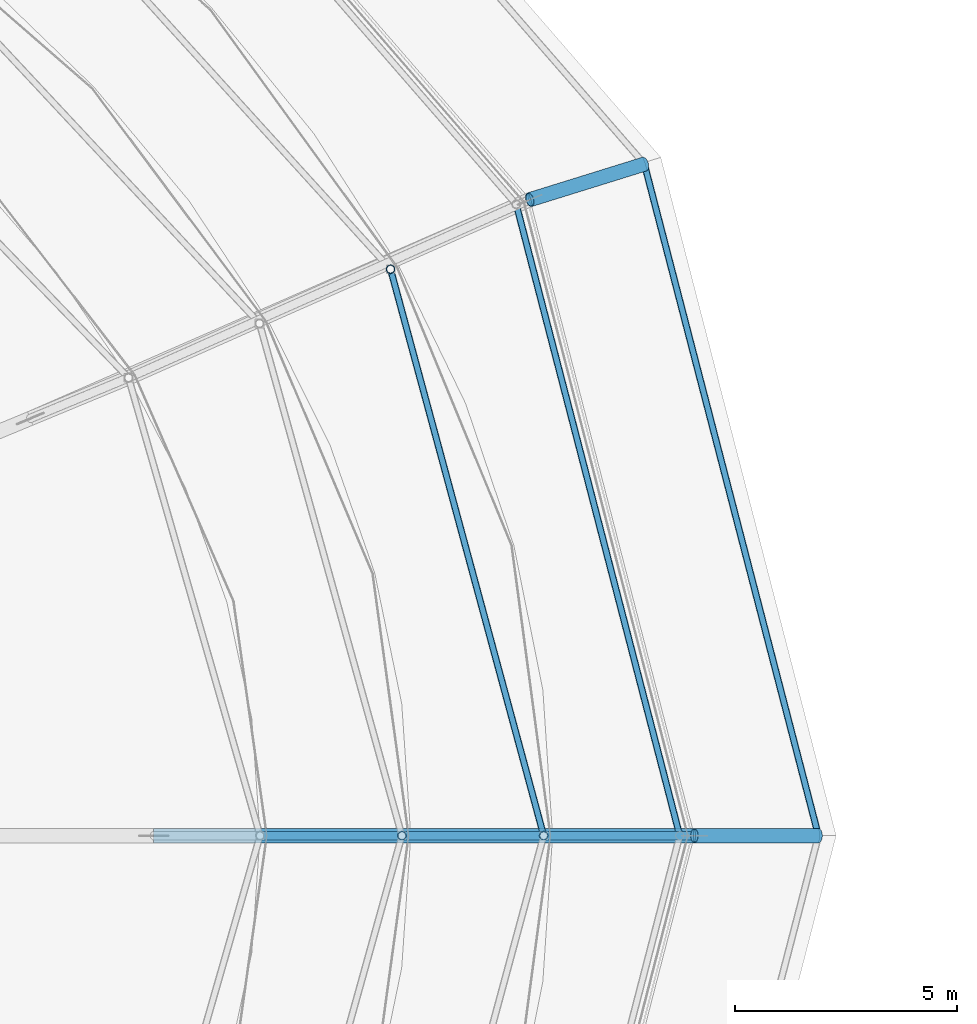
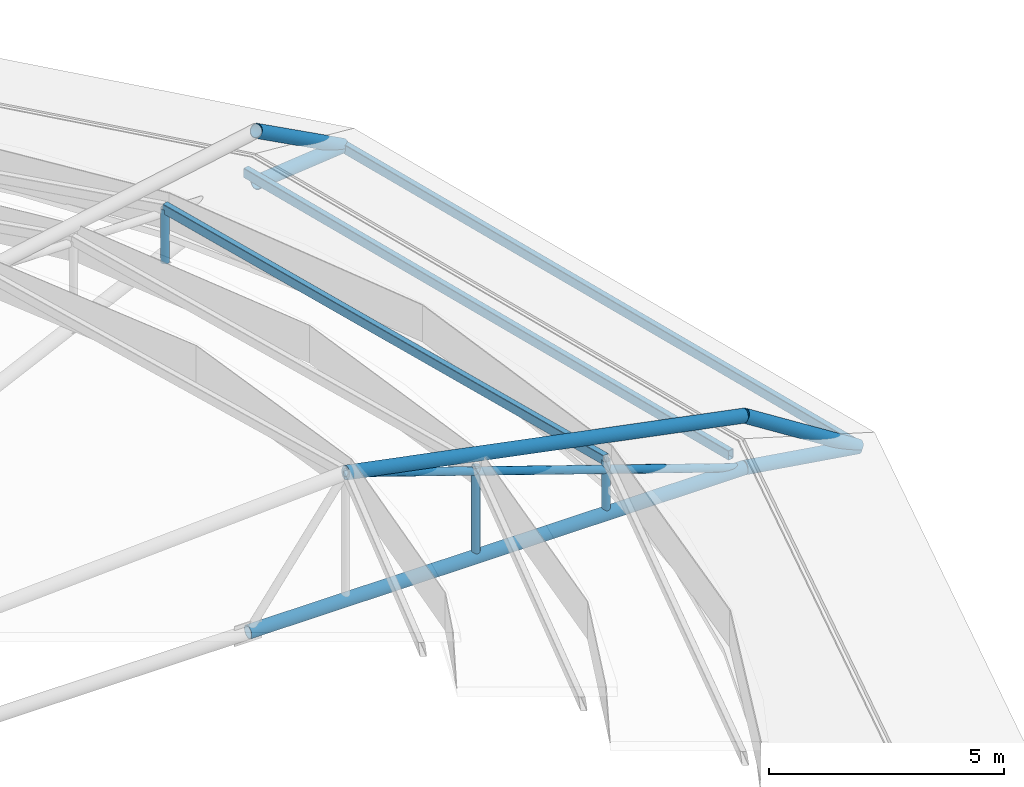
# One storey, part 39 of 134: 10 members, 3 beams.
"""IFC4 building model written with IfcOpenShell, lengths in metres."""

from ifc_helpers import new_model, si_unit, derived_unit, direction, frame, origin, origin_2d, place, context, subcontext, project, spatial, hollow_rectangle, hollow_circle, extrude, material, material_profile, profile_set, type_object, element, save


model = new_model("IFC4")

# Units and contexts
model_context = context("Model", 3, precision=1e-05, world=origin(), true_north=direction((0.0, 1.0)))
body_context = subcontext(model_context, "Body", "Model", "MODEL_VIEW")
ifc_project = project(units=[si_unit("LENGTHUNIT", "METRE"), si_unit("AREAUNIT", "SQUARE_METRE"), si_unit("VOLUMEUNIT", "CUBIC_METRE"), si_unit("PLANEANGLEUNIT", "RADIAN"), si_unit("MASSUNIT", "GRAM", prefix="KILO"), derived_unit("THERMALTRANSMITTANCEUNIT", [(si_unit("MASSUNIT", "GRAM", prefix="KILO"), 1), (si_unit("TIMEUNIT", "SECOND"), -3), (si_unit("THERMODYNAMICTEMPERATUREUNIT", "KELVIN"), -1)])], contexts=[model_context])

# Site, building, storey
site_placement = place(None, origin())
site = spatial("IfcSite", under=ifc_project, at=site_placement, CompositionType="ELEMENT")
building_placement = place(site_placement, origin())
building = spatial("IfcBuilding", under=site, at=building_placement, Name="Kharveza Railside Sports Centre", CompositionType="ELEMENT")
storey_placement = place(building_placement, frame((0.0, 0.0, 12.89990234375)))
storey = spatial("IfcBuildingStorey", under=building, at=storey_placement, Name="L03", CompositionType="ELEMENT", Elevation=12.89990234375)

# Beams
ifc_material = material(Name="Steel S355J2", Category="steel")
ifc_material_profile_1 = material_profile(ifc_material, hollow_rectangle(XDim=0.14990234375, YDim=0.25, WallThickness=0.010009765625, InnerFilletRadius=0.010009765625, OuterFilletRadius=0.02001953125, at=origin_2d()), Name="RHS 150x250x10.0")
ifc_profile_set_1 = profile_set([ifc_material_profile_1], Name="Steel S355J2")
beam_type = type_object("IfcBeamType", Name="BM-SP04", PredefinedType="SPANDREL", material=ifc_profile_set_1)
beam_1_placement = place(storey_placement, frame((103.070068359375, 50.39990234375, 0.405029296875), z_axis=(-0.250720342017, 0.968059559169, 0.0), x_axis=(-0.968059559169, -0.250720342017, 0.0)))
element("IfcBeam", 1, at=beam_1_placement, inside=storey, type_object=beam_type, Name="BM-LIDRING-S1-01", PredefinedType="SPANDREL", context=body_context, shape_type="SweptSolid", body=[
    extrude(hollow_rectangle(XDim=0.14990234375, YDim=0.25, WallThickness=0.010009765625, InnerFilletRadius=0.010009765625, OuterFilletRadius=0.02001953125, at=origin_2d()), origin(), (0.0, 0.0, 1.0), 14.71630859375),
])
beam_2_placement = place(storey_placement, frame((100.0, 50.39990234375, 1.35498046875), z_axis=(-0.260999585678, 0.96533891265, 0.0), x_axis=(-0.96533891265, -0.260999585678, 0.0)))
element("IfcBeam", 2, at=beam_2_placement, inside=storey, type_object=beam_type, Name="BM-LIDRING-S2-01", PredefinedType="SPANDREL", context=body_context, shape_type="SweptSolid", body=[
    extrude(hollow_rectangle(XDim=0.14990234375, YDim=0.25, WallThickness=0.010009765625, InnerFilletRadius=0.010009765625, OuterFilletRadius=0.02001953125, at=origin_2d()), origin(), (0.0, 0.0, 1.0), 13.24072265625),
])
beam_3_placement = place(storey_placement, frame((106.199951171875, 50.39990234375, -0.47998046875), z_axis=(-0.250892882521, 0.968014856033, 0.0), x_axis=(-0.968014856033, -0.250892882521, 0.0)))
element("IfcBeam", 3, at=beam_3_placement, inside=storey, type_object=beam_type, Name="BM-LIDRING-RIM-01", PredefinedType="SPANDREL", context=body_context, shape_type="SweptSolid", body=[
    extrude(hollow_rectangle(XDim=0.14990234375, YDim=0.25, WallThickness=0.010009765625, InnerFilletRadius=0.010009765625, OuterFilletRadius=0.02001953125, at=origin_2d()), origin(), (0.0, 0.0, 1.0), 15.655029296875),
])

# Members
ifc_material_profile_2 = material_profile(ifc_material, hollow_circle(Radius=0.161865234375, WallThickness=0.01611328125, at=origin_2d()), Name="CHS 323.9x16.0")
ifc_profile_set_2 = profile_set([ifc_material_profile_2], Name="Steel S355J2")
member_type_1 = type_object("IfcMemberType", Name="MB-CH02", PredefinedType="CHORD", material=ifc_profile_set_2)
member_1_placement = place(storey_placement, frame((91.199951171875, 50.39990234375, -0.0498046875), z_axis=(1.0, 0.0, 0.0), x_axis=(0.0, 1.0, 0.0)))
element("IfcMember", 4, at=member_1_placement, inside=storey, type_object=member_type_1, Name="MB-OUT-BC2-01", PredefinedType="CHORD", context=body_context, shape_type="SweptSolid", body=[
    extrude(hollow_circle(Radius=0.161865234375, WallThickness=0.01611328125, at=origin_2d()), origin(), (0.0, 0.0, 1.0), 12.199951171875),
])
member_2_placement = place(storey_placement, frame((103.39990234375, 50.39990234375, -0.0498046875), z_axis=(0.98840355771, 0.0, -0.151849949314), x_axis=(0.0, 1.0, 0.0)))
element("IfcMember", 5, at=member_2_placement, inside=storey, type_object=member_type_1, Name="MB-OUT-BC3-01", PredefinedType="CHORD", context=body_context, shape_type="SweptSolid", body=[
    extrude(hollow_circle(Radius=0.161865234375, WallThickness=0.01611328125, at=origin_2d()), origin(), (0.0, 0.0, 1.0), 2.8330078125),
])
member_3_placement = place(storey_placement, frame((93.60009765625, 50.39990234375, 3.25), z_axis=(0.980772853712, 0.0, -0.195152784818), x_axis=(0.0, 1.0, 0.0)))
element("IfcMember", 6, at=member_3_placement, inside=storey, type_object=member_type_1, Name="MB-OUT-TC2-01", PredefinedType="CHORD", context=body_context, shape_type="SweptSolid", body=[
    extrude(hollow_circle(Radius=0.161865234375, WallThickness=0.01611328125, at=origin_2d()), origin(), (0.0, 0.0, 1.0), 9.991943359375),
])
member_4_placement = place(storey_placement, frame((103.39990234375, 50.39990234375, 1.300048828125), z_axis=(0.843909844233, 0.0, -0.53648501825), x_axis=(0.0, 1.0, 0.0)))
element("IfcMember", 7, at=member_4_placement, inside=storey, type_object=member_type_1, Name="MB-OUT-TC3-01", PredefinedType="CHORD", context=body_context, shape_type="SweptSolid", body=[
    extrude(hollow_circle(Radius=0.161865234375, WallThickness=0.01611328125, at=origin_2d()), origin(), (0.0, 0.0, 1.0), 3.31787109375),
])
member_5_placement = place(storey_placement, frame((99.685302734375, 64.75048828125, -0.0498046875), z_axis=(0.943154431361, 0.293022309177, -0.156836363539), x_axis=(-0.296694015615, 0.95497259704, 0.0)))
element("IfcMember", 8, at=member_5_placement, inside=storey, type_object=member_type_1, Name="MB-OUT-BC3-02", PredefinedType="CHORD", context=body_context, shape_type="SweptSolid", body=[
    extrude(hollow_circle(Radius=0.161865234375, WallThickness=0.01611328125, at=origin_2d()), origin(), (0.0, 0.0, 1.0), 2.742919921875),
])
member_6_placement = place(storey_placement, frame((99.685302734375, 64.75048828125, 1.300048828125), z_axis=(0.798088985547, 0.247952901134, -0.549156926541), x_axis=(-0.296694015615, 0.95497259704, 0.0)))
element("IfcMember", 9, at=member_6_placement, inside=storey, type_object=member_type_1, Name="MB-OUT-TC3-02", PredefinedType="CHORD", context=body_context, shape_type="SweptSolid", body=[
    extrude(hollow_circle(Radius=0.161865234375, WallThickness=0.01611328125, at=origin_2d()), origin(), (0.0, 0.0, 1.0), 3.241455078125),
])
ifc_material_profile_3 = material_profile(ifc_material, hollow_circle(Radius=0.096923828125, WallThickness=0.010009765625, at=origin_2d()), Name="CHS 193.7x10.0")
ifc_profile_set_3 = profile_set([ifc_material_profile_3], Name="Steel S355J2")
member_type_2 = type_object("IfcMemberType", Name="MB-ST02", PredefinedType="STRUT", material=ifc_profile_set_3)
for number, where, z_axis, x_axis, name in (
    (10, (100.0, 50.39990234375, -0.0498046875), (0.0, 0.0, 1.0), (1.0, 0.0, 0.0), "MB-LIDPOST-S2-01"),
    (11, (96.544189453125, 63.181640625, -0.0498046875), (0.0, 0.0, 1.0), (1.0, 0.0, 0.0), "MB-LIDPOST-S2-02"),
):
    element("IfcMember", number, at=place(storey_placement, frame(where, z_axis=z_axis, x_axis=x_axis)), inside=storey, type_object=member_type_2, Name=name, PredefinedType="STRUT", context=body_context, shape_type="SweptSolid", body=[
        extrude(hollow_circle(Radius=0.096923828125, WallThickness=0.010009765625, at=origin_2d()), origin(), (0.0, 0.0, 1.0), 1.40478515625),
    ])
member_7_placement = place(storey_placement, frame((96.800048828125, 50.39990234375, -0.0498046875), z_axis=(0.0, 0.0, 1.0), x_axis=(1.0, 0.0, 0.0)))
element("IfcMember", 12, at=member_7_placement, inside=storey, type_object=member_type_2, Name="MB-LIDPOST-S3-01", PredefinedType="STRUT", context=body_context, shape_type="SweptSolid", body=[
    extrude(hollow_circle(Radius=0.096923828125, WallThickness=0.010009765625, at=origin_2d()), origin(), (0.0, 0.0, 1.0), 2.35498046875),
])
member_8_placement = place(storey_placement, frame((93.60009765625, 50.39990234375, 3.25), z_axis=(0.947715598051, 0.0, -0.319116193903), x_axis=(0.0, 1.0, 0.0)))
element("IfcMember", 13, at=member_8_placement, inside=storey, type_object=member_type_2, Name="MB-OUT-WEB-01-3", PredefinedType="STRUT", context=body_context, shape_type="SweptSolid", body=[
    extrude(hollow_circle(Radius=0.096923828125, WallThickness=0.010009765625, at=origin_2d()), origin(), (0.0, 0.0, 1.0), 10.34033203125),
])

save(model, "model.ifc")
